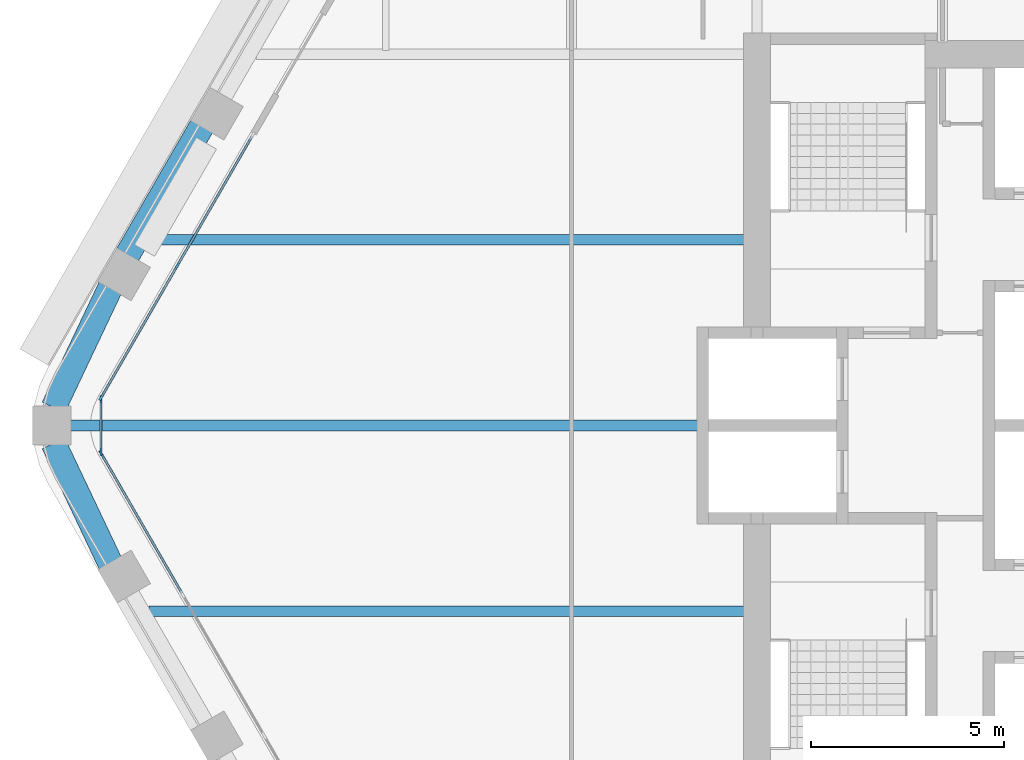
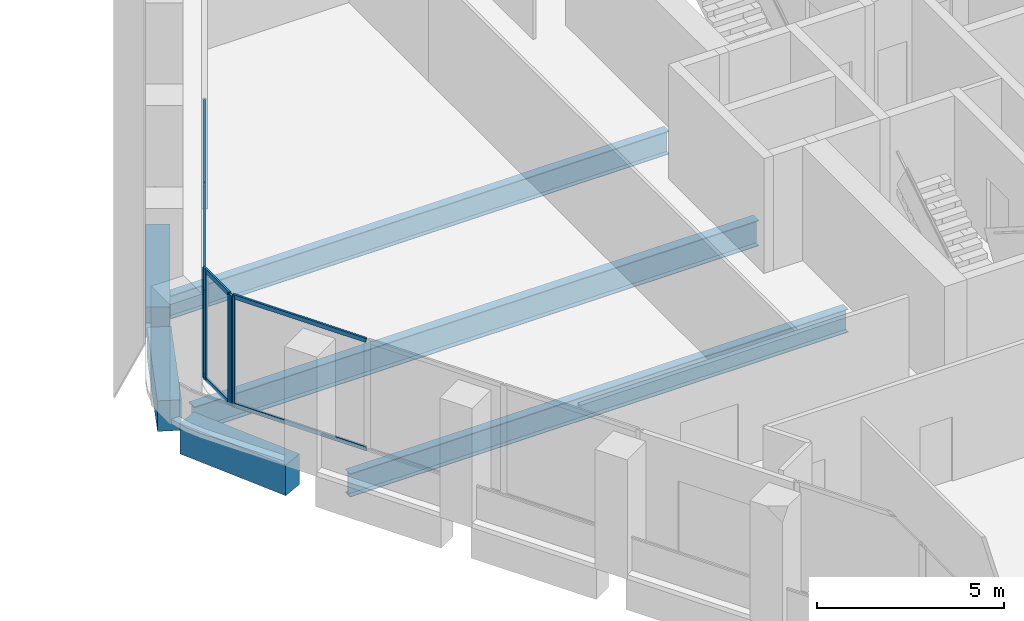
# One storey, part 3 of 16: 13 members, 6 beams, 3 elements without a shape of their own.
"""IFC4 building model written with IfcOpenShell, lengths in metres."""

from ifc_helpers import new_model, si_unit, direction, frame, origin, origin_2d, place, context, subcontext, project, spatial, rectangle, i_section, extrude, material, material_profile, profile_set, type_object, element, aggregate, save


model = new_model("IFC4")

# Units and contexts
model_context = context("Model", 3, precision=1e-05, world=origin(), true_north=direction((0.0, 1.0)))
body_context = subcontext(model_context, "Body", "Model", "MODEL_VIEW")
ifc_project = project(units=[si_unit("LENGTHUNIT", "METRE"), si_unit("AREAUNIT", "SQUARE_METRE"), si_unit("VOLUMEUNIT", "CUBIC_METRE"), si_unit("PLANEANGLEUNIT", "RADIAN"), si_unit("MASSUNIT", "GRAM", prefix="KILO")], contexts=[model_context])

# Site, building, storey
site_placement = place(None, origin())
site = spatial("IfcSite", under=ifc_project, at=site_placement, CompositionType="ELEMENT")
building_placement = place(site_placement, origin())
building = spatial("IfcBuilding", under=site, at=building_placement, Name="Kolab Exchange Tower", CompositionType="ELEMENT")
storey_placement = place(building_placement, frame((0.0, 0.0, 162.199951171875)))
storey = spatial("IfcBuildingStorey", under=building, at=storey_placement, Name="L33", CompositionType="ELEMENT", Elevation=162.199951171875)

# Beams
ifc_material_1 = material(Name="Steel S355", Category="steel")
ifc_material_profile_1 = material_profile(ifc_material_1, i_section(OverallWidth=0.26708984375, OverallDepth=0.761962890625, WebThickness=0.014404296875, FlangeThickness=0.021484375, at=origin_2d()), Name="W760X173")
ifc_profile_set_1 = profile_set([ifc_material_profile_1], Name="Steel S355")
beam_type_1 = type_object("IfcBeamType", Name="FLOOR BEAM W760X173", PredefinedType="BEAM", material=ifc_profile_set_1)
for number, where, z_axis, x_axis, name in (
    (1, (-25.318115234375, -4.800048828125, -0.531005859375), (1.0, 0.0, 0.0), (0.0, 1.0, 0.0), "beam/L33/fr/001"),
    (2, (-25.318115234375, 4.800048828125, -0.531005859375), (1.0, 0.0, 0.0), (0.0, 1.0, 0.0), "beam/L33/fr/002"),
):
    element("IfcBeam", number, at=place(storey_placement, frame(where, z_axis=z_axis, x_axis=x_axis)), inside=storey, type_object=beam_type_1, Name=name, PredefinedType="BEAM", context=body_context, shape_type="SweptSolid", body=[
        extrude(i_section(OverallWidth=0.26708984375, OverallDepth=0.761962890625, WebThickness=0.014404296875, FlangeThickness=0.021484375, at=origin_2d()), origin(), (0.0, 0.0, 1.0), 15.408203125),
    ])
ifc_material_profile_2 = material_profile(ifc_material_1, i_section(OverallWidth=0.2919921875, OverallDepth=0.840087890625, WebThickness=0.0146484375, FlangeThickness=0.021728515625, at=origin_2d()), Name="W840X193")
ifc_profile_set_2 = profile_set([ifc_material_profile_2], Name="Steel S355")
beam_type_2 = type_object("IfcBeamType", Name="FLOOR BEAM W840X193", PredefinedType="BEAM", material=ifc_profile_set_2)
beam_1_placement = place(storey_placement, frame((-27.3759765625, 0.0, -0.570068359375), z_axis=(1.0, 0.0, 0.0), x_axis=(0.0, 1.0, 0.0)))
element("IfcBeam", 3, at=beam_1_placement, inside=storey, type_object=beam_type_2, Name="beam/L33/fr/000", PredefinedType="BEAM", context=body_context, shape_type="SweptSolid", body=[
    extrude(i_section(OverallWidth=0.2919921875, OverallDepth=0.840087890625, WebThickness=0.0146484375, FlangeThickness=0.021728515625, at=origin_2d()), origin(), (0.0, 0.0, 1.0), 17.466064453125),
])
ifc_material_2 = material(Name="Concrete C60/75", Category="concrete")
ifc_material_profile_3 = material_profile(ifc_material_2, rectangle(XDim=0.64990234375, YDim=1.0, at=origin_2d()), Name="RC650X1000")
ifc_profile_set_3 = profile_set([ifc_material_profile_3], Name="Concrete C60/75")
beam_type_3 = type_object("IfcBeamType", Name="SPANDREL BEAM 650X1000 C60/75", PredefinedType="BEAM", material=ifc_profile_set_3)
for number, where, z_axis, x_axis, name in (
    (4, (-26.316162109375, -3.5771484375, -0.64990234375), (-0.428177731975, 0.903694544545, 0.0), (-0.903694544545, -0.428177731975, 0.0), "beam/L33/sp/F5-06"),
    (5, (-27.791259765625, 0.4638671875, -0.64990234375), (0.428177731975, 0.903694544545, 0.0), (-0.903694544545, 0.428177731975, 0.0), "beam/L33/sp/F6-01"),
):
    element("IfcBeam", number, at=place(storey_placement, frame(where, z_axis=z_axis, x_axis=x_axis)), inside=storey, type_object=beam_type_3, Name=name, PredefinedType="BEAM", context=body_context, shape_type="SweptSolid", body=[
        extrude(rectangle(XDim=0.64990234375, YDim=1.0, at=origin_2d()), origin(), (0.0, 0.0, 1.0), 3.445068359375),
    ])
beam_2_placement = place(storey_placement, frame((-25.888427734375, 4.392822265625, -0.64990234375), z_axis=(0.499996613652, 0.866027358884, 0.0), x_axis=(-0.866027358884, 0.499996613652, 0.0)))
element("IfcBeam", 6, at=beam_2_placement, inside=storey, type_object=beam_type_3, Name="beam/L33/sp/F6-02", PredefinedType="BEAM", context=body_context, shape_type="SweptSolid", body=[
    extrude(rectangle(XDim=0.64990234375, YDim=1.0, at=origin_2d()), origin(), (0.0, 0.0, 1.0), 3.8798828125),
])

# Curtain wall, member
ifc_material_3 = material(Name="Aluminium EN AW-6063 T6", Category="aluminium")
curtain_wall_type = type_object("IfcCurtainWallType", Name="UNITISED UPPER MID ZONE CURTAIN WALL", PredefinedType="NOTDEFINED", material=ifc_material_3)
curtain_wall_1_placement = place(storey_placement, origin())
curtain_wall_1 = element("IfcCurtainWall", 7, at=curtain_wall_1_placement, inside=storey, type_object=curtain_wall_type, Name="cw/L33/F5-2", PredefinedType="NOTDEFINED")
ifc_material_profile_4 = material_profile(ifc_material_3, rectangle(XDim=0.06005859375, YDim=0.199951171875, at=origin_2d()), Name="RECT 60X200")
ifc_profile_set_4 = profile_set([ifc_material_profile_4], Name="Aluminium EN AW-6063 T6")
member_type_1 = type_object("IfcMemberType", Name="UNITISED UPPER MID ZONE MULLION 60 X 200", PredefinedType="MULLION", material=ifc_profile_set_4)
member_1_placement = place(storey_placement, frame((-26.550537109375, -0.736083984375, 0.0), z_axis=(0.0, 0.0, 1.0), x_axis=(-0.866025427826, -0.499999958358, 0.0)))
member_1 = element("IfcMember", 8, at=member_1_placement, type_object=member_type_1, Name="CW3 mullion 4", PredefinedType="MULLION", context=body_context, shape_type="SweptSolid", body=[
    extrude(rectangle(XDim=0.06005859375, YDim=0.199951171875, at=origin_2d()), origin(), (0.0, 0.0, 1.0), 3.60009765625),
])

# Curtain wall, members
curtain_wall_2_placement = place(storey_placement, origin())
curtain_wall_2 = element("IfcCurtainWall", 9, at=curtain_wall_2_placement, inside=storey, type_object=curtain_wall_type, Name="cw/L33/F6-1", PredefinedType="NOTDEFINED")
member_2_placement = place(storey_placement, frame((-26.550537109375, 0.736083984375, 0.0), z_axis=(0.0, 0.0, 1.0), x_axis=(-0.866025440524, 0.499999936366, 0.0)))
member_2 = element("IfcMember", 10, at=member_2_placement, type_object=member_type_1, Name="CW3 mullion 1", PredefinedType="MULLION", context=body_context, shape_type="SweptSolid", body=[
    extrude(rectangle(XDim=0.06005859375, YDim=0.199951171875, at=origin_2d()), origin(), (0.0, 0.0, 1.0), 3.60009765625),
])
member_3_placement = place(storey_placement, frame((-24.5986328125, 4.116943359375, 0.0), z_axis=(0.0, 0.0, 1.0), x_axis=(-0.866025440524, 0.499999936366, 0.0)))
member_3 = element("IfcMember", 11, at=member_3_placement, type_object=member_type_1, Name="CW3 mullion 2", PredefinedType="MULLION", context=body_context, shape_type="SweptSolid", body=[
    extrude(rectangle(XDim=0.06005859375, YDim=0.199951171875, at=origin_2d()), origin(), (0.0, 0.0, 1.0), 3.60009765625),
])

curtain_wall_3_placement = place(storey_placement, origin())
curtain_wall_3 = element("IfcCurtainWall", 12, at=curtain_wall_3_placement, inside=storey, type_object=curtain_wall_type, Name="cw/L33/F5F6-corner", PredefinedType="NOTDEFINED")
member_4_placement = place(storey_placement, frame((-26.565673828125, -0.679931640625, 0.0), z_axis=(0.0, 0.0, 1.0), x_axis=(-1.0, 0.0, 0.0)))
member_4 = element("IfcMember", 13, at=member_4_placement, type_object=member_type_1, Name="CW3 mullion 1", PredefinedType="MULLION", context=body_context, shape_type="SweptSolid", body=[
    extrude(rectangle(XDim=0.06005859375, YDim=0.199951171875, at=origin_2d()), origin(), (0.0, 0.0, 1.0), 3.60009765625),
])
member_5_placement = place(storey_placement, frame((-26.565673828125, 0.679931640625, 0.0), z_axis=(0.0, 0.0, 1.0), x_axis=(-1.0, 0.0, 0.0)))
member_5 = element("IfcMember", 14, at=member_5_placement, type_object=member_type_1, Name="CW3 mullion 2", PredefinedType="MULLION", context=body_context, shape_type="SweptSolid", body=[
    extrude(rectangle(XDim=0.06005859375, YDim=0.199951171875, at=origin_2d()), origin(), (0.0, 0.0, 1.0), 3.60009765625),
])

# Member
ifc_material_profile_5 = material_profile(ifc_material_3, rectangle(XDim=0.06005859375, YDim=0.139892578125, at=origin_2d()), Name="RECT 60X140")
ifc_profile_set_5 = profile_set([ifc_material_profile_5], Name="Aluminium EN AW-6063 T6")
member_type_2 = type_object("IfcMemberType", Name="UNITISED UPPER MID ZONE TRANSOM 60 X 140", PredefinedType="USERDEFINED", material=ifc_profile_set_5)
member_6_placement = place(storey_placement, frame((-24.46923828125, -4.3408203125, 0.030029296875), z_axis=(-0.500027577057, 0.866009481578, 0.0), x_axis=(-0.866009481578, -0.500027577057, 0.0)))
member_6 = element("IfcMember", 15, at=member_6_placement, type_object=member_type_2, Name="CW3 transom 3.1", ObjectType="TRANSOM", PredefinedType="USERDEFINED", context=body_context, shape_type="SweptSolid", body=[
    extrude(rectangle(XDim=0.06005859375, YDim=0.139892578125, at=origin_2d()), origin(), (0.0, 0.0, 1.0), 4.132568359375),
])

member_7_placement = place(storey_placement, frame((-24.46923828125, -4.3408203125, 3.570068359375), z_axis=(-0.500027577057, 0.866009481578, 0.0), x_axis=(-0.866009481578, -0.500027577057, 0.0)))
member_7 = element("IfcMember", 16, at=member_7_placement, type_object=member_type_2, Name="CW3 transom 3.2", ObjectType="TRANSOM", PredefinedType="USERDEFINED", context=body_context, shape_type="SweptSolid", body=[
    extrude(rectangle(XDim=0.06005859375, YDim=0.139892578125, at=origin_2d()), origin(), (0.0, 0.0, 1.0), 4.132568359375),
])

aggregate(curtain_wall_1, [member_1, member_6, member_7])

member_8_placement = place(storey_placement, frame((-26.53564453125, 0.761962890625, 0.030029296875), z_axis=(0.499991857942, 0.866030104553, 0.0), x_axis=(-0.866030104553, 0.499991857942, 0.0)))
member_8 = element("IfcMember", 17, at=member_8_placement, type_object=member_type_2, Name="CW3 transom 1.1", ObjectType="TRANSOM", PredefinedType="USERDEFINED", context=body_context, shape_type="SweptSolid", body=[
    extrude(rectangle(XDim=0.06005859375, YDim=0.139892578125, at=origin_2d()), origin(), (0.0, 0.0, 1.0), 3.84375),
])

member_9_placement = place(storey_placement, frame((-26.53564453125, 0.761962890625, 3.570068359375), z_axis=(0.499991857942, 0.866030104553, 0.0), x_axis=(-0.866030104553, 0.499991857942, 0.0)))
member_9 = element("IfcMember", 18, at=member_9_placement, type_object=member_type_2, Name="CW3 transom 1.2", ObjectType="TRANSOM", PredefinedType="USERDEFINED", context=body_context, shape_type="SweptSolid", body=[
    extrude(rectangle(XDim=0.06005859375, YDim=0.139892578125, at=origin_2d()), origin(), (0.0, 0.0, 1.0), 3.84375),
])

member_10_placement = place(storey_placement, frame((-24.583740234375, 4.142822265625, 0.030029296875), z_axis=(0.500011990396, 0.866018481016, 0.0), x_axis=(-0.866018481016, 0.500011990396, 0.0)))
member_10 = element("IfcMember", 19, at=member_10_placement, type_object=member_type_2, Name="CW3 transom 2.1", ObjectType="TRANSOM", PredefinedType="USERDEFINED", context=body_context, shape_type="SweptSolid", body=[
    extrude(rectangle(XDim=0.06005859375, YDim=0.139892578125, at=origin_2d()), origin(), (0.0, 0.0, 1.0), 3.84423828125),
])

member_11_placement = place(storey_placement, frame((-24.583740234375, 4.142822265625, 3.570068359375), z_axis=(0.500011990396, 0.866018481016, 0.0), x_axis=(-0.866018481016, 0.500011990396, 0.0)))
member_11 = element("IfcMember", 20, at=member_11_placement, type_object=member_type_2, Name="CW3 transom 2.2", ObjectType="TRANSOM", PredefinedType="USERDEFINED", context=body_context, shape_type="SweptSolid", body=[
    extrude(rectangle(XDim=0.06005859375, YDim=0.139892578125, at=origin_2d()), origin(), (0.0, 0.0, 1.0), 3.84423828125),
])

aggregate(curtain_wall_2, [member_2, member_3, member_8, member_9, member_10, member_11])

member_12_placement = place(storey_placement, frame((-26.565673828125, -0.64990234375, 0.030029296875), z_axis=(0.0, 1.0, 0.0), x_axis=(-1.0, 0.0, 0.0)))
member_12 = element("IfcMember", 21, at=member_12_placement, type_object=member_type_2, Name="CW3 transom 1.1", ObjectType="TRANSOM", PredefinedType="USERDEFINED", context=body_context, shape_type="SweptSolid", body=[
    extrude(rectangle(XDim=0.06005859375, YDim=0.139892578125, at=origin_2d()), origin(), (0.0, 0.0, 1.0), 1.2998046875),
])

member_13_placement = place(storey_placement, frame((-26.565673828125, -0.64990234375, 3.570068359375), z_axis=(0.0, 1.0, 0.0), x_axis=(-1.0, 0.0, 0.0)))
member_13 = element("IfcMember", 22, at=member_13_placement, type_object=member_type_2, Name="CW3 transom 1.2", ObjectType="TRANSOM", PredefinedType="USERDEFINED", context=body_context, shape_type="SweptSolid", body=[
    extrude(rectangle(XDim=0.06005859375, YDim=0.139892578125, at=origin_2d()), origin(), (0.0, 0.0, 1.0), 1.2998046875),
])

aggregate(curtain_wall_3, [member_4, member_5, member_12, member_13])

save(model, "model.ifc")
